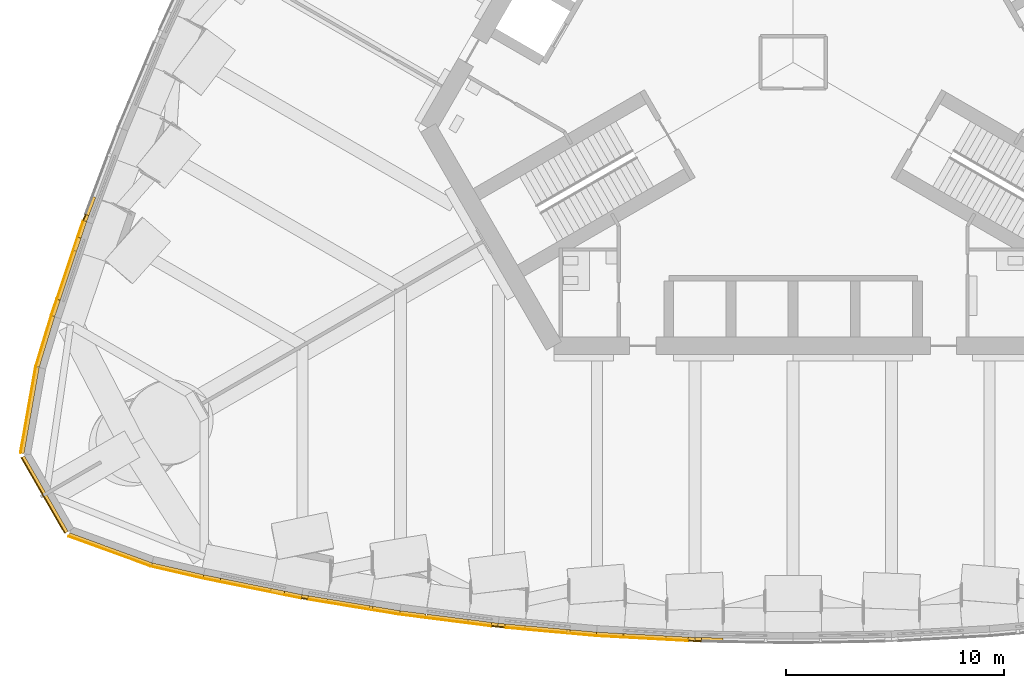
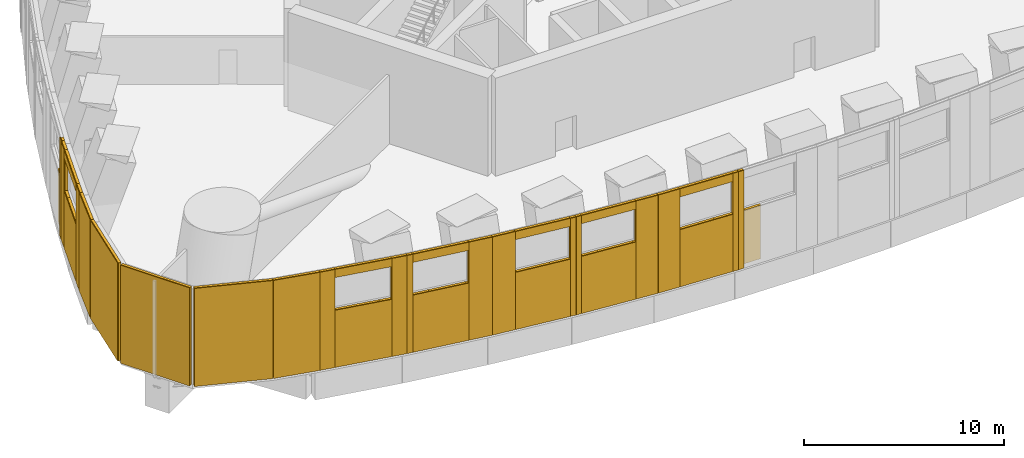
# One storey, part 12 of 25: 72 coverings.
"""IFC4 building model written with IfcOpenShell, lengths in metres."""

from ifc_helpers import new_model, si_unit, direction, frame, origin, origin_2d, place, context, subcontext, project, spatial, rectangle, extrude, material, layer, layer_set, type_object, element, save


model = new_model("IFC4")

# Units and contexts
model_context = context("Model", 3, precision=1e-05, world=origin(), true_north=direction((0.0, 1.0)))
body_context = subcontext(model_context, "Body", "Model", "MODEL_VIEW")
ifc_project = project(units=[si_unit("LENGTHUNIT", "METRE"), si_unit("AREAUNIT", "SQUARE_METRE"), si_unit("VOLUMEUNIT", "CUBIC_METRE"), si_unit("PLANEANGLEUNIT", "RADIAN"), si_unit("MASSUNIT", "GRAM", prefix="KILO")], contexts=[model_context])

# Site, building, storey
site_placement = place(None, origin())
site = spatial("IfcSite", under=ifc_project, at=site_placement, CompositionType="ELEMENT")
building_placement = place(site_placement, origin())
building = spatial("IfcBuilding", under=site, at=building_placement, Name="Trefoil Bronze Tower", CompositionType="ELEMENT")
storey_placement = place(building_placement, frame((0.0, 0.0, 178.699951171875)))
storey = spatial("IfcBuildingStorey", under=building, at=storey_placement, Name="L41", CompositionType="ELEMENT", Elevation=178.699951171875)

# Coverings
ifc_material_1 = material(Name="Bronze-finish aluminium rainscreen panel on aluminium rails", Category="aluminium")
ifc_layer_1 = layer(ifc_material_1, 0.0400390625)
ifc_layer_set_1 = layer_set([ifc_layer_1], Name="Bronze cladding panel 40")
covering_type_1 = type_object("IfcCoveringType", Name="Bronze cladding panel 40", PredefinedType="CLADDING", material=ifc_layer_set_1)
covering_1_placement = place(storey_placement, frame((-28.2509765625, -23.384521484375, 0.0), z_axis=(0.0, 0.0, 1.0), x_axis=(0.974204447126, -0.225667222253, 0.0)))
element("IfcCovering", 1, at=covering_1_placement, inside=storey, type_object=covering_type_1, Name="Cladding panel L41 Face 1.1 piece 1", PredefinedType="CLADDING", context=body_context, shape_type="SweptSolid", body=[
    extrude(rectangle(XDim=2.420166015625, YDim=0.0400390625, at=origin_2d()), origin(), (0.0, 0.0, 1.0), 6.0),
])
for number, where, z_axis, x_axis, name in (
    (2, (-26.673583984375, -23.73828125, 0.0), (0.0, 0.0, 1.0), (0.980155155537, -0.198231861904, 0.0), "Cladding panel L41 Face 1.2 piece 1"),
    (3, (-22.953369140625, -24.49072265625, 0.0), (0.0, 0.0, 1.0), (0.980155155537, -0.198231861904, 0.0), "Cladding panel L41 Face 1.2 piece 2"),
):
    element("IfcCovering", number, at=place(storey_placement, frame(where, z_axis=z_axis, x_axis=x_axis)), inside=storey, type_object=covering_type_1, Name=name, PredefinedType="CLADDING", context=body_context, shape_type="SweptSolid", body=[
        extrude(rectangle(XDim=0.795654296875, YDim=0.0400390625, at=origin_2d()), origin(), (0.0, 0.0, 1.0), 6.0),
    ])
covering_2_placement = place(storey_placement, frame((-24.8134765625, -24.114501953125, 0.0), z_axis=(0.0, 0.0, 1.0), x_axis=(0.980155155537, -0.198231861904, 0.0)))
element("IfcCovering", 4, at=covering_2_placement, inside=storey, type_object=covering_type_1, Name="Cladding panel L41 Face 1.2 piece 3", PredefinedType="CLADDING", context=body_context, shape_type="SweptSolid", body=[
    extrude(rectangle(XDim=3.0, YDim=0.0400390625, at=origin_2d()), origin(), (0.0, 0.0, 1.0), 3.5),
])
covering_3_placement = place(storey_placement, frame((-24.8134765625, -24.114501953125, 5.5), z_axis=(0.0, 0.0, 1.0), x_axis=(0.980155155537, -0.198231861904, 0.0)))
element("IfcCovering", 5, at=covering_3_placement, inside=storey, type_object=covering_type_1, Name="Cladding panel L41 Face 1.2 piece 4", PredefinedType="CLADDING", context=body_context, shape_type="SweptSolid", body=[
    extrude(rectangle(XDim=3.0, YDim=0.0400390625, at=origin_2d()), origin(), (0.0, 0.0, 1.0), 0.5),
])
covering_4_placement = place(storey_placement, frame((-22.40380859375, -24.595947265625, 0.0), z_axis=(0.0, 0.0, 1.0), x_axis=(0.98675965574, -0.162189339366, 0.0)))
element("IfcCovering", 6, at=covering_4_placement, inside=storey, type_object=covering_type_1, Name="Cladding panel L41 Face 1.3 piece 1", PredefinedType="CLADDING", context=body_context, shape_type="SweptSolid", body=[
    extrude(rectangle(XDim=0.300048828125, YDim=0.0400390625, at=origin_2d()), origin(), (0.0, 0.0, 1.0), 6.0),
])
covering_5_placement = place(storey_placement, frame((-18.673828125, -25.209228515625, 0.0), z_axis=(0.0, 0.0, 1.0), x_axis=(0.98675965574, -0.162189339366, 0.0)))
element("IfcCovering", 7, at=covering_5_placement, inside=storey, type_object=covering_type_1, Name="Cladding panel L41 Face 1.3 piece 2", PredefinedType="CLADDING", context=body_context, shape_type="SweptSolid", body=[
    extrude(rectangle(XDim=1.260498046875, YDim=0.0400390625, at=origin_2d()), origin(), (0.0, 0.0, 1.0), 6.0),
])
covering_6_placement = place(storey_placement, frame((-20.775634765625, -24.863525390625, 0.0), z_axis=(0.0, 0.0, 1.0), x_axis=(0.98675965574, -0.162189339366, 0.0)))
element("IfcCovering", 8, at=covering_6_placement, inside=storey, type_object=covering_type_1, Name="Cladding panel L41 Face 1.3 piece 3", PredefinedType="CLADDING", context=body_context, shape_type="SweptSolid", body=[
    extrude(rectangle(XDim=3.0, YDim=0.0400390625, at=origin_2d()), origin(), (0.0, 0.0, 1.0), 3.5),
])
covering_7_placement = place(storey_placement, frame((-20.775634765625, -24.863525390625, 5.5), z_axis=(0.0, 0.0, 1.0), x_axis=(0.98675965574, -0.162189339366, 0.0)))
element("IfcCovering", 9, at=covering_7_placement, inside=storey, type_object=covering_type_1, Name="Cladding panel L41 Face 1.3 piece 4", PredefinedType="CLADDING", context=body_context, shape_type="SweptSolid", body=[
    extrude(rectangle(XDim=3.0, YDim=0.0400390625, at=origin_2d()), origin(), (0.0, 0.0, 1.0), 0.5),
])
covering_8_placement = place(storey_placement, frame((-17.42724609375, -25.390869140625, 0.0), z_axis=(0.0, 0.0, 1.0), x_axis=(0.992011554286, -0.126147041833, 0.0)))
element("IfcCovering", 10, at=covering_8_placement, inside=storey, type_object=covering_type_1, Name="Cladding panel L41 Face 1.4 piece 1", PredefinedType="CLADDING", context=body_context, shape_type="SweptSolid", body=[
    extrude(rectangle(XDim=1.236328125, YDim=0.0400390625, at=origin_2d()), origin(), (0.0, 0.0, 1.0), 6.0),
])
covering_9_placement = place(storey_placement, frame((-13.689208984375, -25.8662109375, 0.0), z_axis=(0.0, 0.0, 1.0), x_axis=(0.992011554286, -0.126147041833, 0.0)))
element("IfcCovering", 11, at=covering_9_placement, inside=storey, type_object=covering_type_1, Name="Cladding panel L41 Face 1.4 piece 2", PredefinedType="CLADDING", context=body_context, shape_type="SweptSolid", body=[
    extrude(rectangle(XDim=0.300048828125, YDim=0.0400390625, at=origin_2d()), origin(), (0.0, 0.0, 1.0), 6.0),
])
covering_10_placement = place(storey_placement, frame((-15.325927734375, -25.658203125, 0.0), z_axis=(0.0, 0.0, 1.0), x_axis=(0.992011554286, -0.126147041833, 0.0)))
element("IfcCovering", 12, at=covering_10_placement, inside=storey, type_object=covering_type_1, Name="Cladding panel L41 Face 1.4 piece 3", PredefinedType="CLADDING", context=body_context, shape_type="SweptSolid", body=[
    extrude(rectangle(XDim=3.0, YDim=0.0400390625, at=origin_2d()), origin(), (0.0, 0.0, 1.0), 3.5),
])
covering_11_placement = place(storey_placement, frame((-15.325927734375, -25.658203125, 5.5), z_axis=(0.0, 0.0, 1.0), x_axis=(0.992011554286, -0.126147041833, 0.0)))
element("IfcCovering", 13, at=covering_11_placement, inside=storey, type_object=covering_type_1, Name="Cladding panel L41 Face 1.4 piece 4", PredefinedType="CLADDING", context=body_context, shape_type="SweptSolid", body=[
    extrude(rectangle(XDim=3.0, YDim=0.0400390625, at=origin_2d()), origin(), (0.0, 0.0, 1.0), 0.5),
])
covering_12_placement = place(storey_placement, frame((-13.37939453125, -25.89990234375, 0.0), z_axis=(0.0, 0.0, 1.0), x_axis=(0.995932279157, -0.090104912923, 0.0)))
element("IfcCovering", 14, at=covering_12_placement, inside=storey, type_object=covering_type_1, Name="Cladding panel L41 Face 1.5 piece 1", PredefinedType="CLADDING", context=body_context, shape_type="SweptSolid", body=[
    extrude(rectangle(XDim=0.300048828125, YDim=0.0400390625, at=origin_2d()), origin(), (0.0, 0.0, 1.0), 6.0),
])
covering_13_placement = place(storey_placement, frame((-9.635498046875, -26.23876953125, 0.0), z_axis=(0.0, 0.0, 1.0), x_axis=(0.995932279157, -0.090104912923, 0.0)))
element("IfcCovering", 15, at=covering_13_placement, inside=storey, type_object=covering_type_1, Name="Cladding panel L41 Face 1.5 piece 2", PredefinedType="CLADDING", context=body_context, shape_type="SweptSolid", body=[
    extrude(rectangle(XDim=1.21826171875, YDim=0.0400390625, at=origin_2d()), origin(), (0.0, 0.0, 1.0), 6.0),
])
covering_14_placement = place(storey_placement, frame((-11.736083984375, -26.048583984375, 0.0), z_axis=(0.0, 0.0, 1.0), x_axis=(0.995932279157, -0.090104912923, 0.0)))
element("IfcCovering", 16, at=covering_14_placement, inside=storey, type_object=covering_type_1, Name="Cladding panel L41 Face 1.5 piece 3", PredefinedType="CLADDING", context=body_context, shape_type="SweptSolid", body=[
    extrude(rectangle(XDim=3.0, YDim=0.0400390625, at=origin_2d()), origin(), (0.0, 0.0, 1.0), 3.5),
])
covering_15_placement = place(storey_placement, frame((-11.736083984375, -26.048583984375, 5.5), z_axis=(0.0, 0.0, 1.0), x_axis=(0.995932279157, -0.090104912923, 0.0)))
element("IfcCovering", 17, at=covering_15_placement, inside=storey, type_object=covering_type_1, Name="Cladding panel L41 Face 1.5 piece 4", PredefinedType="CLADDING", context=body_context, shape_type="SweptSolid", body=[
    extrude(rectangle(XDim=3.0, YDim=0.0400390625, at=origin_2d()), origin(), (0.0, 0.0, 1.0), 0.5),
])
covering_16_placement = place(storey_placement, frame((-8.414794921875, -26.3271484375, 0.0), z_axis=(0.0, 0.0, 1.0), x_axis=(0.998537531917, -0.054062901823, 0.0)))
element("IfcCovering", 18, at=covering_16_placement, inside=storey, type_object=covering_type_1, Name="Cladding panel L41 Face 1.6 piece 1", PredefinedType="CLADDING", context=body_context, shape_type="SweptSolid", body=[
    extrude(rectangle(XDim=1.20654296875, YDim=0.0400390625, at=origin_2d()), origin(), (0.0, 0.0, 1.0), 6.0),
])
covering_17_placement = place(storey_placement, frame((-4.6669921875, -26.530029296875, 0.0), z_axis=(0.0, 0.0, 1.0), x_axis=(0.998537531917, -0.054062901823, 0.0)))
element("IfcCovering", 19, at=covering_17_placement, inside=storey, type_object=covering_type_1, Name="Cladding panel L41 Face 1.6 piece 2", PredefinedType="CLADDING", context=body_context, shape_type="SweptSolid", body=[
    extrude(rectangle(XDim=0.300048828125, YDim=0.0400390625, at=origin_2d()), origin(), (0.0, 0.0, 1.0), 6.0),
])
covering_18_placement = place(storey_placement, frame((-6.314697265625, -26.440673828125, 0.0), z_axis=(0.0, 0.0, 1.0), x_axis=(0.998537531917, -0.054062901823, 0.0)))
element("IfcCovering", 20, at=covering_18_placement, inside=storey, type_object=covering_type_1, Name="Cladding panel L41 Face 1.6 piece 3", PredefinedType="CLADDING", context=body_context, shape_type="SweptSolid", body=[
    extrude(rectangle(XDim=3.0, YDim=0.0400390625, at=origin_2d()), origin(), (0.0, 0.0, 1.0), 3.5),
])
covering_19_placement = place(storey_placement, frame((-6.314697265625, -26.440673828125, 5.5), z_axis=(0.0, 0.0, 1.0), x_axis=(0.998537531917, -0.054062901823, 0.0)))
element("IfcCovering", 21, at=covering_19_placement, inside=storey, type_object=covering_type_1, Name="Cladding panel L41 Face 1.6 piece 4", PredefinedType="CLADDING", context=body_context, shape_type="SweptSolid", body=[
    extrude(rectangle(XDim=3.0, YDim=0.0400390625, at=origin_2d()), origin(), (0.0, 0.0, 1.0), 0.5),
])
for number, where, z_axis, x_axis, name in (
    (22, (-4.355712890625, -26.541259765625, 0.0), (0.0, 0.0, 1.0), (0.999837609324, -0.018020959525, 0.0), "Cladding panel L41 Face 1.7 piece 1"),
    (23, (-32.502685546875, -7.104248046875, 0.0), (0.0, 0.0, 1.0), (-0.352919739789, -0.935653598971, 0.0), "Cladding panel L41 Face 3.12 piece 2"),
):
    element("IfcCovering", number, at=place(storey_placement, frame(where, z_axis=z_axis, x_axis=x_axis)), inside=storey, type_object=covering_type_1, Name=name, PredefinedType="CLADDING", context=body_context, shape_type="SweptSolid", body=[
        extrude(rectangle(XDim=0.300048828125, YDim=0.0400390625, at=origin_2d()), origin(), (0.0, 0.0, 1.0), 6.0),
    ])
for number, where, z_axis, x_axis, name in (
    (24, (-32.686279296875, -7.6328125, 0.0), (0.0, 0.0, 1.0), (-0.31840374947, -0.947955195314, 0.0), "Cladding panel L41 Face 3.13 piece 1"),
    (25, (-33.894775390625, -11.230712890625, 0.0), (0.0, 0.0, 1.0), (-0.31840374947, -0.947955195314, 0.0), "Cladding panel L41 Face 3.13 piece 2"),
):
    element("IfcCovering", number, at=place(storey_placement, frame(where, z_axis=z_axis, x_axis=x_axis)), inside=storey, type_object=covering_type_1, Name=name, PredefinedType="CLADDING", context=body_context, shape_type="SweptSolid", body=[
        extrude(rectangle(XDim=0.795654296875, YDim=0.0400390625, at=origin_2d()), origin(), (0.0, 0.0, 1.0), 6.0),
    ])
covering_20_placement = place(storey_placement, frame((-33.29052734375, -9.431884765625, 0.0), z_axis=(0.0, 0.0, 1.0), x_axis=(-0.31840374947, -0.947955195314, 0.0)))
element("IfcCovering", 26, at=covering_20_placement, inside=storey, type_object=covering_type_1, Name="Cladding panel L41 Face 3.13 piece 3", PredefinedType="CLADDING", context=body_context, shape_type="SweptSolid", body=[
    extrude(rectangle(XDim=3.0, YDim=0.0400390625, at=origin_2d()), origin(), (0.0, 0.0, 1.0), 3.5),
])
covering_21_placement = place(storey_placement, frame((-33.29052734375, -9.431884765625, 5.5), z_axis=(0.0, 0.0, 1.0), x_axis=(-0.31840374947, -0.947955195314, 0.0)))
element("IfcCovering", 27, at=covering_21_placement, inside=storey, type_object=covering_type_1, Name="Cladding panel L41 Face 3.13 piece 4", PredefinedType="CLADDING", context=body_context, shape_type="SweptSolid", body=[
    extrude(rectangle(XDim=3.0, YDim=0.0400390625, at=origin_2d()), origin(), (0.0, 0.0, 1.0), 0.5),
])
covering_22_placement = place(storey_placement, frame((-34.377197265625, -12.77392578125, 0.0), z_axis=(0.0, 0.0, 1.0), x_axis=(-0.291668676641, -0.956519410711, 0.0)))
element("IfcCovering", 28, at=covering_22_placement, inside=storey, type_object=covering_type_1, Name="Cladding panel L41 Face 3.14 piece 1", PredefinedType="CLADDING", context=body_context, shape_type="SweptSolid", body=[
    extrude(rectangle(XDim=2.420166015625, YDim=0.0400390625, at=origin_2d()), origin(), (0.0, 0.0, 1.0), 6.0),
])
for number, where, z_axis, x_axis, name in (
    (29, (-35.08642578125, -15.939453125, 0.0), (0.0, 0.0, 1.0), (-0.17364817765, -0.984807753015, 0.0), "Cladding panel L41 Corner 3.1 piece 1"),
    (30, (-34.3955078125, -19.858154296875, 0.0), (0.0, 0.0, 1.0), (0.500000000091, -0.866025403732, 0.0), "Cladding panel L41 Corner 3.2 piece 1"),
    (31, (-31.347412109375, -22.416015625, 0.0), (0.0, 0.0, 1.0), (0.939692620828, -0.342020143211, 0.0), "Cladding panel L41 Corner 3.3 piece 1"),
):
    element("IfcCovering", number, at=place(storey_placement, frame(where, z_axis=z_axis, x_axis=x_axis)), inside=storey, type_object=covering_type_1, Name=name, PredefinedType="CLADDING", context=body_context, shape_type="SweptSolid", body=[
        extrude(rectangle(XDim=4.001708984375, YDim=0.0400390625, at=origin_2d()), origin(), (0.0, 0.0, 1.0), 6.0),
    ])
ifc_material_2 = material(Name="Non-combustible mineral wool slab", Category="insulation")
ifc_layer_2 = layer(ifc_material_2, 0.14990234375)
ifc_layer_set_2 = layer_set([ifc_layer_2], Name="Rainscreen insulation 150")
covering_type_2 = type_object("IfcCoveringType", Name="Rainscreen insulation 150", PredefinedType="INSULATION", material=ifc_layer_set_2)
covering_23_placement = place(storey_placement, frame((-28.229736328125, -23.2919921875, 0.0), z_axis=(0.0, 0.0, 1.0), x_axis=(0.974204447126, -0.225667222253, 0.0)))
element("IfcCovering", 32, at=covering_23_placement, inside=storey, type_object=covering_type_2, Name="Insulation L41 Face 1.1 piece 1", PredefinedType="INSULATION", context=body_context, shape_type="SweptSolid", body=[
    extrude(rectangle(XDim=2.420166015625, YDim=0.14990234375, at=origin_2d()), origin(), (0.0, 0.0, 1.0), 6.0),
])
covering_24_placement = place(storey_placement, frame((-26.65478515625, -23.645263671875, 0.0), z_axis=(0.0, 0.0, 1.0), x_axis=(0.980155155537, -0.198231861904, 0.0)))
element("IfcCovering", 33, at=covering_24_placement, inside=storey, type_object=covering_type_2, Name="Insulation L41 Face 1.2 piece 1", PredefinedType="INSULATION", context=body_context, shape_type="SweptSolid", body=[
    extrude(rectangle(XDim=0.795654296875, YDim=0.14990234375, at=origin_2d()), origin(), (0.0, 0.0, 1.0), 6.0),
])
covering_25_placement = place(storey_placement, frame((-22.9345703125, -24.397705078125, 0.1298828125), z_axis=(0.0, 0.0, 1.0), x_axis=(0.980155155537, -0.198231861904, 0.0)))
element("IfcCovering", 34, at=covering_25_placement, inside=storey, type_object=covering_type_2, Name="Insulation L41 Face 1.2 piece 2", PredefinedType="INSULATION", context=body_context, shape_type="SweptSolid", body=[
    extrude(rectangle(XDim=0.795654296875, YDim=0.14990234375, at=origin_2d()), origin(), (0.0, 0.0, 1.0), 5.8701171875),
])
covering_26_placement = place(storey_placement, frame((-25.108154296875, -23.9580078125, 0.0), z_axis=(0.0, 0.0, 1.0), x_axis=(0.980155155537, -0.198231861904, 0.0)))
element("IfcCovering", 35, at=covering_26_placement, inside=storey, type_object=covering_type_2, Name="Insulation L41 Face 1.2 piece 3", PredefinedType="INSULATION", context=body_context, shape_type="SweptSolid", body=[
    extrude(rectangle(XDim=2.360107421875, YDim=0.14990234375, at=origin_2d()), origin(), (0.0, 0.0, 1.0), 3.5),
])
covering_27_placement = place(storey_placement, frame((-23.637939453125, -24.25537109375, 0.115234375), z_axis=(0.0, 0.0, 1.0), x_axis=(0.980155155537, -0.198231861904, 0.0)))
element("IfcCovering", 36, at=covering_27_placement, inside=storey, type_object=covering_type_2, Name="Insulation L41 Face 1.2 piece 3 part 2", PredefinedType="INSULATION", context=body_context, shape_type="SweptSolid", body=[
    extrude(rectangle(XDim=0.639892578125, YDim=0.14990234375, at=origin_2d()), origin(), (0.0, 0.0, 1.0), 3.385009765625),
])
covering_28_placement = place(storey_placement, frame((-24.794677734375, -24.021484375, 5.5), z_axis=(0.0, 0.0, 1.0), x_axis=(0.980155155537, -0.198231861904, 0.0)))
element("IfcCovering", 37, at=covering_28_placement, inside=storey, type_object=covering_type_2, Name="Insulation L41 Face 1.2 piece 4", PredefinedType="INSULATION", context=body_context, shape_type="SweptSolid", body=[
    extrude(rectangle(XDim=3.0, YDim=0.14990234375, at=origin_2d()), origin(), (0.0, 0.0, 1.0), 0.5),
])
covering_29_placement = place(storey_placement, frame((-22.388427734375, -24.502197265625, 0.169921875), z_axis=(0.0, 0.0, 1.0), x_axis=(0.98675965574, -0.162189339366, 0.0)))
element("IfcCovering", 38, at=covering_29_placement, inside=storey, type_object=covering_type_2, Name="Insulation L41 Face 1.3 piece 1", PredefinedType="INSULATION", context=body_context, shape_type="SweptSolid", body=[
    extrude(rectangle(XDim=0.300048828125, YDim=0.14990234375, at=origin_2d()), origin(), (0.0, 0.0, 1.0), 5.830078125),
])
covering_30_placement = place(storey_placement, frame((-18.658447265625, -25.115478515625, 0.115234375), z_axis=(0.0, 0.0, 1.0), x_axis=(0.98675965574, -0.162189339366, 0.0)))
element("IfcCovering", 39, at=covering_30_placement, inside=storey, type_object=covering_type_2, Name="Insulation L41 Face 1.3 piece 2", PredefinedType="INSULATION", context=body_context, shape_type="SweptSolid", body=[
    extrude(rectangle(XDim=1.260498046875, YDim=0.14990234375, at=origin_2d()), origin(), (0.0, 0.0, 1.0), 5.885009765625),
])
covering_31_placement = place(storey_placement, frame((-21.8037109375, -24.598388671875, 0.2900390625), z_axis=(0.0, 0.0, 1.0), x_axis=(0.98675965574, -0.162189339366, 0.0)))
element("IfcCovering", 40, at=covering_31_placement, inside=storey, type_object=covering_type_2, Name="Insulation L41 Face 1.3 piece 3", PredefinedType="INSULATION", context=body_context, shape_type="SweptSolid", body=[
    extrude(rectangle(XDim=0.885009765625, YDim=0.14990234375, at=origin_2d()), origin(), (0.0, 0.0, 1.0), 3.2099609375),
])
covering_32_placement = place(storey_placement, frame((-20.397705078125, -24.82958984375, 0.0), z_axis=(0.0, 0.0, 1.0), x_axis=(0.98675965574, -0.162189339366, 0.0)))
element("IfcCovering", 41, at=covering_32_placement, inside=storey, type_object=covering_type_2, Name="Insulation L41 Face 1.3 piece 3 part 2", PredefinedType="INSULATION", context=body_context, shape_type="SweptSolid", body=[
    extrude(rectangle(XDim=1.965087890625, YDim=0.14990234375, at=origin_2d()), origin(), (0.0, 0.0, 1.0), 3.5),
])
covering_33_placement = place(storey_placement, frame((-19.354248046875, -25.0009765625, 0.10986328125), z_axis=(0.0, 0.0, 1.0), x_axis=(0.98675965574, -0.162189339366, 0.0)))
element("IfcCovering", 42, at=covering_33_placement, inside=storey, type_object=covering_type_2, Name="Insulation L41 Face 1.3 piece 3 part 3", PredefinedType="INSULATION", context=body_context, shape_type="SweptSolid", body=[
    extrude(rectangle(XDim=0.14990234375, YDim=0.14990234375, at=origin_2d()), origin(), (0.0, 0.0, 1.0), 3.389892578125),
])
covering_34_placement = place(storey_placement, frame((-20.76025390625, -24.769775390625, 5.5), z_axis=(0.0, 0.0, 1.0), x_axis=(0.98675965574, -0.162189339366, 0.0)))
element("IfcCovering", 43, at=covering_34_placement, inside=storey, type_object=covering_type_2, Name="Insulation L41 Face 1.3 piece 4", PredefinedType="INSULATION", context=body_context, shape_type="SweptSolid", body=[
    extrude(rectangle(XDim=3.0, YDim=0.14990234375, at=origin_2d()), origin(), (0.0, 0.0, 1.0), 0.5),
])
covering_35_placement = place(storey_placement, frame((-17.4306640625, -25.294677734375, 0.28515625), z_axis=(0.0, 0.0, 1.0), x_axis=(0.992011554286, -0.126147041833, 0.0)))
element("IfcCovering", 44, at=covering_35_placement, inside=storey, type_object=covering_type_2, Name="Insulation L41 Face 1.4 piece 1", PredefinedType="INSULATION", context=body_context, shape_type="SweptSolid", body=[
    extrude(rectangle(XDim=1.205078125, YDim=0.14990234375, at=origin_2d()), origin(), (0.0, 0.0, 1.0), 5.715087890625),
])
covering_36_placement = place(storey_placement, frame((-13.67724609375, -25.77197265625, 0.10986328125), z_axis=(0.0, 0.0, 1.0), x_axis=(0.992011554286, -0.126147041833, 0.0)))
element("IfcCovering", 45, at=covering_36_placement, inside=storey, type_object=covering_type_2, Name="Insulation L41 Face 1.4 piece 2", PredefinedType="INSULATION", context=body_context, shape_type="SweptSolid", body=[
    extrude(rectangle(XDim=0.300048828125, YDim=0.14990234375, at=origin_2d()), origin(), (0.0, 0.0, 1.0), 5.889892578125),
])
covering_37_placement = place(storey_placement, frame((-15.853515625, -25.495361328125, 0.0), z_axis=(0.0, 0.0, 1.0), x_axis=(0.992011554286, -0.126147041833, 0.0)))
element("IfcCovering", 46, at=covering_37_placement, inside=storey, type_object=covering_type_2, Name="Insulation L41 Face 1.4 piece 3", PredefinedType="INSULATION", context=body_context, shape_type="SweptSolid", body=[
    extrude(rectangle(XDim=1.912109375, YDim=0.14990234375, at=origin_2d()), origin(), (0.0, 0.0, 1.0), 3.5),
])
covering_38_placement = place(storey_placement, frame((-14.365478515625, -25.6845703125, 0.125), z_axis=(0.0, 0.0, 1.0), x_axis=(0.992011554286, -0.126147041833, 0.0)))
element("IfcCovering", 47, at=covering_38_placement, inside=storey, type_object=covering_type_2, Name="Insulation L41 Face 1.4 piece 3 part 2", PredefinedType="INSULATION", context=body_context, shape_type="SweptSolid", body=[
    extrude(rectangle(XDim=1.087890625, YDim=0.14990234375, at=origin_2d()), origin(), (0.0, 0.0, 1.0), 3.375),
])
covering_39_placement = place(storey_placement, frame((-15.31396484375, -25.56396484375, 5.5), z_axis=(0.0, 0.0, 1.0), x_axis=(0.992011554286, -0.126147041833, 0.0)))
element("IfcCovering", 48, at=covering_39_placement, inside=storey, type_object=covering_type_2, Name="Insulation L41 Face 1.4 piece 4", PredefinedType="INSULATION", context=body_context, shape_type="SweptSolid", body=[
    extrude(rectangle(XDim=3.0, YDim=0.14990234375, at=origin_2d()), origin(), (0.0, 0.0, 1.0), 0.5),
])
covering_40_placement = place(storey_placement, frame((-13.370849609375, -25.805419921875, 0.14501953125), z_axis=(0.0, 0.0, 1.0), x_axis=(0.995932279157, -0.090104912923, 0.0)))
element("IfcCovering", 49, at=covering_40_placement, inside=storey, type_object=covering_type_2, Name="Insulation L41 Face 1.5 piece 1", PredefinedType="INSULATION", context=body_context, shape_type="SweptSolid", body=[
    extrude(rectangle(XDim=0.300048828125, YDim=0.14990234375, at=origin_2d()), origin(), (0.0, 0.0, 1.0), 5.85498046875),
])
covering_41_placement = place(storey_placement, frame((-9.626953125, -26.14404296875, 0.14013671875), z_axis=(0.0, 0.0, 1.0), x_axis=(0.995932279157, -0.090104912923, 0.0)))
element("IfcCovering", 50, at=covering_41_placement, inside=storey, type_object=covering_type_2, Name="Insulation L41 Face 1.5 piece 2", PredefinedType="INSULATION", context=body_context, shape_type="SweptSolid", body=[
    extrude(rectangle(XDim=1.21826171875, YDim=0.14990234375, at=origin_2d()), origin(), (0.0, 0.0, 1.0), 5.860107421875),
])
covering_42_placement = place(storey_placement, frame((-12.75830078125, -25.86083984375, 0.27001953125), z_axis=(0.0, 0.0, 1.0), x_axis=(0.995932279157, -0.090104912923, 0.0)))
element("IfcCovering", 51, at=covering_42_placement, inside=storey, type_object=covering_type_2, Name="Insulation L41 Face 1.5 piece 3", PredefinedType="INSULATION", context=body_context, shape_type="SweptSolid", body=[
    extrude(rectangle(XDim=0.929931640625, YDim=0.14990234375, at=origin_2d()), origin(), (0.0, 0.0, 1.0), 3.22998046875),
])
covering_43_placement = place(storey_placement, frame((-11.334228515625, -25.98974609375, 0.0), z_axis=(0.0, 0.0, 1.0), x_axis=(0.995932279157, -0.090104912923, 0.0)))
element("IfcCovering", 52, at=covering_43_placement, inside=storey, type_object=covering_type_2, Name="Insulation L41 Face 1.5 piece 3 part 2", PredefinedType="INSULATION", context=body_context, shape_type="SweptSolid", body=[
    extrude(rectangle(XDim=1.929931640625, YDim=0.14990234375, at=origin_2d()), origin(), (0.0, 0.0, 1.0), 3.5),
])
covering_44_placement = place(storey_placement, frame((-10.303466796875, -26.0830078125, 0.14501953125), z_axis=(0.0, 0.0, 1.0), x_axis=(0.995932279157, -0.090104912923, 0.0)))
element("IfcCovering", 53, at=covering_44_placement, inside=storey, type_object=covering_type_2, Name="Insulation L41 Face 1.5 piece 3 part 3", PredefinedType="INSULATION", context=body_context, shape_type="SweptSolid", body=[
    extrude(rectangle(XDim=0.139892578125, YDim=0.14990234375, at=origin_2d()), origin(), (0.0, 0.0, 1.0), 3.35498046875),
])
covering_45_placement = place(storey_placement, frame((-11.7275390625, -25.9541015625, 5.5), z_axis=(0.0, 0.0, 1.0), x_axis=(0.995932279157, -0.090104912923, 0.0)))
element("IfcCovering", 54, at=covering_45_placement, inside=storey, type_object=covering_type_2, Name="Insulation L41 Face 1.5 piece 4", PredefinedType="INSULATION", context=body_context, shape_type="SweptSolid", body=[
    extrude(rectangle(XDim=3.0, YDim=0.14990234375, at=origin_2d()), origin(), (0.0, 0.0, 1.0), 0.5),
])
covering_46_placement = place(storey_placement, frame((-8.40966796875, -26.232177734375, 0.2451171875), z_axis=(0.0, 0.0, 1.0), x_axis=(0.998537531917, -0.054062901823, 0.0)))
element("IfcCovering", 55, at=covering_46_placement, inside=storey, type_object=covering_type_2, Name="Insulation L41 Face 1.6 piece 1", PredefinedType="INSULATION", context=body_context, shape_type="SweptSolid", body=[
    extrude(rectangle(XDim=1.20654296875, YDim=0.14990234375, at=origin_2d()), origin(), (0.0, 0.0, 1.0), 5.7548828125),
])
covering_47_placement = place(storey_placement, frame((-4.661865234375, -26.43505859375, 0.10986328125), z_axis=(0.0, 0.0, 1.0), x_axis=(0.998537531917, -0.054062901823, 0.0)))
element("IfcCovering", 56, at=covering_47_placement, inside=storey, type_object=covering_type_2, Name="Insulation L41 Face 1.6 piece 2", PredefinedType="INSULATION", context=body_context, shape_type="SweptSolid", body=[
    extrude(rectangle(XDim=0.300048828125, YDim=0.14990234375, at=origin_2d()), origin(), (0.0, 0.0, 1.0), 5.889892578125),
])
covering_48_placement = place(storey_placement, frame((-6.80126953125, -26.3193359375, 0.0), z_axis=(0.0, 0.0, 1.0), x_axis=(0.998537531917, -0.054062901823, 0.0)))
element("IfcCovering", 57, at=covering_48_placement, inside=storey, type_object=covering_type_2, Name="Insulation L41 Face 1.6 piece 3", PredefinedType="INSULATION", context=body_context, shape_type="SweptSolid", body=[
    extrude(rectangle(XDim=1.925048828125, YDim=0.14990234375, at=origin_2d()), origin(), (0.0, 0.0, 1.0), 3.5),
])
covering_49_placement = place(storey_placement, frame((-5.325927734375, -26.399169921875, 0.17529296875), z_axis=(0.0, 0.0, 1.0), x_axis=(0.998537531917, -0.054062901823, 0.0)))
element("IfcCovering", 58, at=covering_49_placement, inside=storey, type_object=covering_type_2, Name="Insulation L41 Face 1.6 piece 3 part 2", PredefinedType="INSULATION", context=body_context, shape_type="SweptSolid", body=[
    extrude(rectangle(XDim=1.030029296875, YDim=0.14990234375, at=origin_2d()), origin(), (0.0, 0.0, 1.0), 3.324951171875),
])
covering_50_placement = place(storey_placement, frame((-6.3095703125, -26.345947265625, 5.5), z_axis=(0.0, 0.0, 1.0), x_axis=(0.998537531917, -0.054062901823, 0.0)))
element("IfcCovering", 59, at=covering_50_placement, inside=storey, type_object=covering_type_2, Name="Insulation L41 Face 1.6 piece 4", PredefinedType="INSULATION", context=body_context, shape_type="SweptSolid", body=[
    extrude(rectangle(XDim=3.0, YDim=0.14990234375, at=origin_2d()), origin(), (0.0, 0.0, 1.0), 0.5),
])
covering_51_placement = place(storey_placement, frame((-4.35400390625, -26.4462890625, 0.125), z_axis=(0.0, 0.0, 1.0), x_axis=(0.999837609324, -0.018020959525, 0.0)))
element("IfcCovering", 60, at=covering_51_placement, inside=storey, type_object=covering_type_2, Name="Insulation L41 Face 1.7 piece 1", PredefinedType="INSULATION", context=body_context, shape_type="SweptSolid", body=[
    extrude(rectangle(XDim=0.300048828125, YDim=0.14990234375, at=origin_2d()), origin(), (0.0, 0.0, 1.0), 5.875),
])
covering_52_placement = place(storey_placement, frame((-3.714111328125, -26.457763671875, 0.22509765625), z_axis=(0.0, 0.0, 1.0), x_axis=(0.999837609324, -0.018020959525, 0.0)))
element("IfcCovering", 61, at=covering_52_placement, inside=storey, type_object=covering_type_2, Name="Insulation L41 Face 1.7 piece 3", PredefinedType="INSULATION", context=body_context, shape_type="SweptSolid", body=[
    extrude(rectangle(XDim=0.97998046875, YDim=0.14990234375, at=origin_2d()), origin(), (0.0, 0.0, 1.0), 3.27490234375),
])
covering_53_placement = place(storey_placement, frame((-32.413818359375, -7.137939453125, 0.169921875), z_axis=(0.0, 0.0, 1.0), x_axis=(-0.352919739789, -0.935653598971, 0.0)))
element("IfcCovering", 62, at=covering_53_placement, inside=storey, type_object=covering_type_2, Name="Insulation L41 Face 3.12 piece 2", PredefinedType="INSULATION", context=body_context, shape_type="SweptSolid", body=[
    extrude(rectangle(XDim=0.300048828125, YDim=0.14990234375, at=origin_2d()), origin(), (0.0, 0.0, 1.0), 5.830078125),
])
covering_54_placement = place(storey_placement, frame((-32.205322265625, -6.5849609375, 0.2900390625), z_axis=(0.0, 0.0, 1.0), x_axis=(-0.352919739789, -0.935653598971, 0.0)))
element("IfcCovering", 63, at=covering_54_placement, inside=storey, type_object=covering_type_2, Name="Insulation L41 Face 3.12 piece 3 part 3", PredefinedType="INSULATION", context=body_context, shape_type="SweptSolid", body=[
    extrude(rectangle(XDim=0.882080078125, YDim=0.14990234375, at=origin_2d()), origin(), (0.0, 0.0, 1.0), 3.2099609375),
])
covering_55_placement = place(storey_placement, frame((-32.59619140625, -7.6630859375, 0.1298828125), z_axis=(0.0, 0.0, 1.0), x_axis=(-0.31840374947, -0.947955195314, 0.0)))
element("IfcCovering", 64, at=covering_55_placement, inside=storey, type_object=covering_type_2, Name="Insulation L41 Face 3.13 piece 1", PredefinedType="INSULATION", context=body_context, shape_type="SweptSolid", body=[
    extrude(rectangle(XDim=0.795654296875, YDim=0.14990234375, at=origin_2d()), origin(), (0.0, 0.0, 1.0), 5.8701171875),
])
covering_56_placement = place(storey_placement, frame((-33.8046875, -11.260986328125, 0.0), z_axis=(0.0, 0.0, 1.0), x_axis=(-0.31840374947, -0.947955195314, 0.0)))
element("IfcCovering", 65, at=covering_56_placement, inside=storey, type_object=covering_type_2, Name="Insulation L41 Face 3.13 piece 2", PredefinedType="INSULATION", context=body_context, shape_type="SweptSolid", body=[
    extrude(rectangle(XDim=0.795654296875, YDim=0.14990234375, at=origin_2d()), origin(), (0.0, 0.0, 1.0), 6.0),
])
covering_57_placement = place(storey_placement, frame((-32.82470703125, -8.343505859375, 0.115234375), z_axis=(0.0, 0.0, 1.0), x_axis=(-0.31840374947, -0.947955195314, 0.0)))
element("IfcCovering", 66, at=covering_57_placement, inside=storey, type_object=covering_type_2, Name="Insulation L41 Face 3.13 piece 3", PredefinedType="INSULATION", context=body_context, shape_type="SweptSolid", body=[
    extrude(rectangle(XDim=0.639892578125, YDim=0.14990234375, at=origin_2d()), origin(), (0.0, 0.0, 1.0), 3.385009765625),
])
covering_58_placement = place(storey_placement, frame((-33.30224609375, -9.765380859375, 0.0), z_axis=(0.0, 0.0, 1.0), x_axis=(-0.31840374947, -0.947955195314, 0.0)))
element("IfcCovering", 67, at=covering_58_placement, inside=storey, type_object=covering_type_2, Name="Insulation L41 Face 3.13 piece 3 part 2", PredefinedType="INSULATION", context=body_context, shape_type="SweptSolid", body=[
    extrude(rectangle(XDim=2.360107421875, YDim=0.14990234375, at=origin_2d()), origin(), (0.0, 0.0, 1.0), 3.5),
])
covering_59_placement = place(storey_placement, frame((-33.200439453125, -9.462158203125, 5.5), z_axis=(0.0, 0.0, 1.0), x_axis=(-0.31840374947, -0.947955195314, 0.0)))
element("IfcCovering", 68, at=covering_59_placement, inside=storey, type_object=covering_type_2, Name="Insulation L41 Face 3.13 piece 4", PredefinedType="INSULATION", context=body_context, shape_type="SweptSolid", body=[
    extrude(rectangle(XDim=3.0, YDim=0.14990234375, at=origin_2d()), origin(), (0.0, 0.0, 1.0), 0.5),
])
covering_60_placement = place(storey_placement, frame((-34.2861328125, -12.801513671875, 0.0), z_axis=(0.0, 0.0, 1.0), x_axis=(-0.291668676641, -0.956519410711, 0.0)))
element("IfcCovering", 69, at=covering_60_placement, inside=storey, type_object=covering_type_2, Name="Insulation L41 Face 3.14 piece 1", PredefinedType="INSULATION", context=body_context, shape_type="SweptSolid", body=[
    extrude(rectangle(XDim=2.420166015625, YDim=0.14990234375, at=origin_2d()), origin(), (0.0, 0.0, 1.0), 6.0),
])
for number, where, z_axis, x_axis, name in (
    (70, (-34.992919921875, -15.9560546875, 0.0), (0.0, 0.0, 1.0), (-0.17364817765, -0.984807753015, 0.0), "Insulation L41 Corner 3.1 piece 1"),
    (71, (-34.313232421875, -19.810791015625, 0.0), (0.0, 0.0, 1.0), (0.500000000091, -0.866025403732, 0.0), "Insulation L41 Corner 3.2 piece 1"),
    (72, (-31.314697265625, -22.326904296875, 0.0), (0.0, 0.0, 1.0), (0.939692620828, -0.342020143211, 0.0), "Insulation L41 Corner 3.3 piece 1"),
):
    element("IfcCovering", number, at=place(storey_placement, frame(where, z_axis=z_axis, x_axis=x_axis)), inside=storey, type_object=covering_type_2, Name=name, PredefinedType="INSULATION", context=body_context, shape_type="SweptSolid", body=[
        extrude(rectangle(XDim=4.001708984375, YDim=0.14990234375, at=origin_2d()), origin(), (0.0, 0.0, 1.0), 6.0),
    ])

save(model, "model.ifc")
